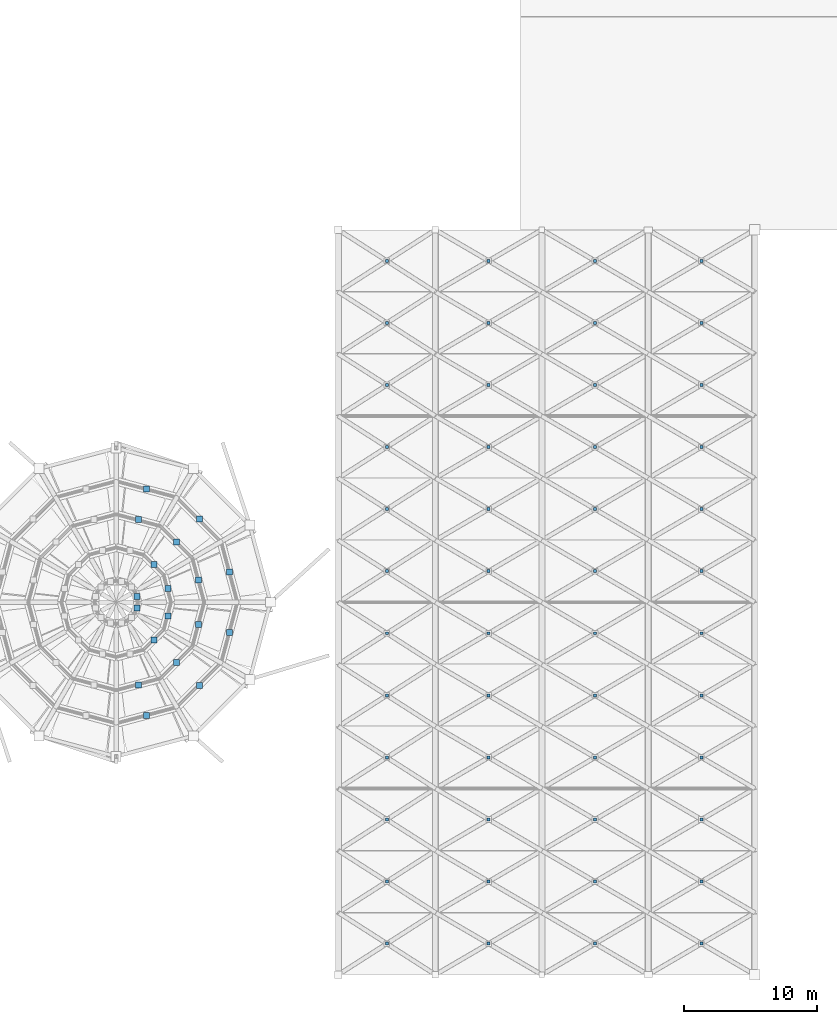
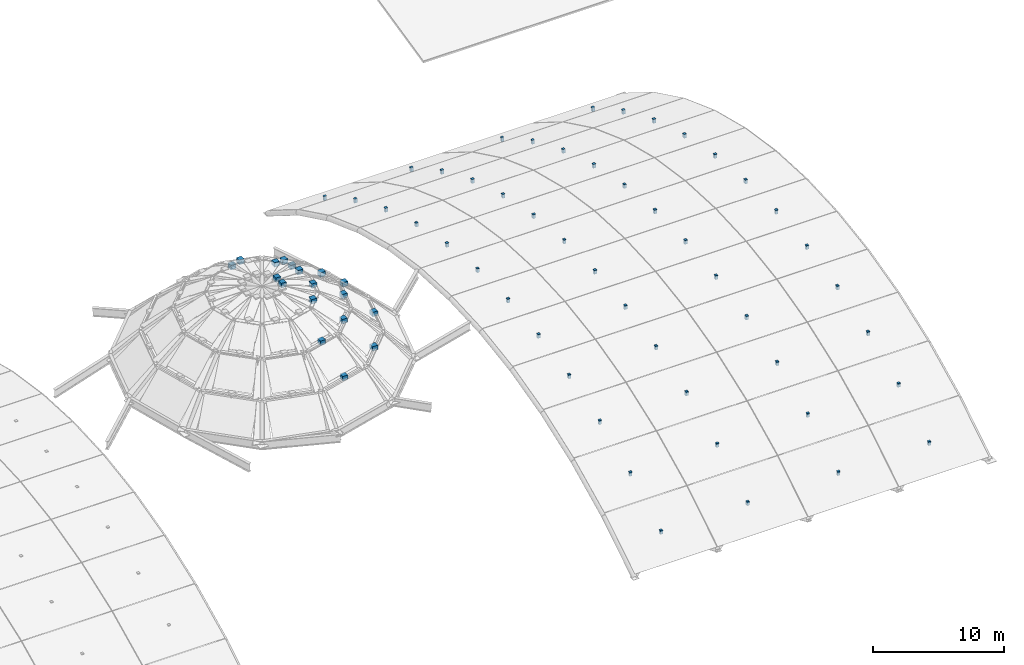
# One storey, part 19 of 21: 66 discrete accessories.
"""IFC4 building model written with IfcOpenShell, lengths in metres."""

from ifc_helpers import new_model, si_unit, direction, frame, origin, origin_2d, place, context, subcontext, project, spatial, rectangle, extrude, material, type_object, element, save


model = new_model("IFC4")

# Units and contexts
model_context = context("Model", 3, precision=1e-05, world=origin(), true_north=direction((0.0, 1.0)))
body_context = subcontext(model_context, "Body", "Model", "MODEL_VIEW")
ifc_project = project(units=[si_unit("LENGTHUNIT", "METRE"), si_unit("AREAUNIT", "SQUARE_METRE"), si_unit("VOLUMEUNIT", "CUBIC_METRE"), si_unit("PLANEANGLEUNIT", "RADIAN"), si_unit("MASSUNIT", "GRAM", prefix="KILO")], contexts=[model_context])

# Site, building, storey
site_placement = place(None, origin())
site = spatial("IfcSite", under=ifc_project, at=site_placement, CompositionType="ELEMENT")
building_placement = place(site_placement, origin())
building = spatial("IfcBuilding", under=site, at=building_placement, Name="Solmirada Galleria", CompositionType="ELEMENT")
storey_placement = place(building_placement, frame((0.0, 0.0, 37.5)))
storey = spatial("IfcBuildingStorey", under=building, at=storey_placement, Name="RF", CompositionType="ELEMENT", Elevation=37.5)

# Discrete accessories
ifc_material = material(Name="Steel S355 / ASTM A500 Grade C", Category="steel")
discrete_accessory_type = type_object("IfcDiscreteAccessoryType", Name="ACC-GLAZ-SHOE", PredefinedType="BRACKET", material=ifc_material)
for number, where, z_axis, x_axis, name in (
    (1, (116.35009765625, 34.333251953125, -7.94091796875), (0.0, 0.0, 1.0), (1.0, 0.0, 0.0), "Barrel gridshell glazing spider bracket E00-00"),
    (2, (116.35009765625, 39.0, -5.34716796875), (0.0, 0.0, 1.0), (1.0, 0.0, 0.0), "Barrel gridshell glazing spider bracket E00-01"),
    (3, (116.35009765625, 43.666748046875, -3.3623046875), (0.0, 0.0, 1.0), (1.0, 0.0, 0.0), "Barrel gridshell glazing spider bracket E00-02"),
    (4, (116.35009765625, 48.333251953125, -1.920654296875), (0.0, 0.0, 1.0), (1.0, 0.0, 0.0), "Barrel gridshell glazing spider bracket E00-03"),
    (5, (116.35009765625, 53.0, -0.97998046875), (0.0, 0.0, 1.0), (1.0, 0.0, 0.0), "Barrel gridshell glazing spider bracket E00-04"),
    (6, (116.35009765625, 57.666748046875, -0.515380859375), (0.0, 0.0, 1.0), (1.0, 0.0, 0.0), "Barrel gridshell glazing spider bracket E00-05"),
    (7, (116.35009765625, 62.33349609375, -0.515380859375), (0.0, 0.0, 1.0), (1.0, 0.0, 0.0), "Barrel gridshell glazing spider bracket E00-06"),
    (8, (116.35009765625, 67.0, -0.97998046875), (0.0, 0.0, 1.0), (1.0, 0.0, 0.0), "Barrel gridshell glazing spider bracket E00-07"),
    (9, (116.35009765625, 71.666748046875, -1.920654296875), (0.0, 0.0, 1.0), (1.0, 0.0, 0.0), "Barrel gridshell glazing spider bracket E00-08"),
    (10, (116.35009765625, 76.333251953125, -3.3623046875), (0.0, 0.0, 1.0), (1.0, 0.0, 0.0), "Barrel gridshell glazing spider bracket E00-09"),
    (11, (116.35009765625, 81.0, -5.34716796875), (0.0, 0.0, 1.0), (1.0, 0.0, 0.0), "Barrel gridshell glazing spider bracket E00-10"),
    (12, (116.35009765625, 85.666748046875, -7.94091796875), (0.0, 0.0, 1.0), (1.0, 0.0, 0.0), "Barrel gridshell glazing spider bracket E00-11"),
    (13, (124.0, 34.333251953125, -7.94091796875), (0.0, 0.0, 1.0), (1.0, 0.0, 0.0), "Barrel gridshell glazing spider bracket E01-00"),
    (14, (124.0, 39.0, -5.34716796875), (0.0, 0.0, 1.0), (1.0, 0.0, 0.0), "Barrel gridshell glazing spider bracket E01-01"),
    (15, (124.0, 43.666748046875, -3.3623046875), (0.0, 0.0, 1.0), (1.0, 0.0, 0.0), "Barrel gridshell glazing spider bracket E01-02"),
    (16, (124.0, 48.333251953125, -1.920654296875), (0.0, 0.0, 1.0), (1.0, 0.0, 0.0), "Barrel gridshell glazing spider bracket E01-03"),
    (17, (124.0, 53.0, -0.97998046875), (0.0, 0.0, 1.0), (1.0, 0.0, 0.0), "Barrel gridshell glazing spider bracket E01-04"),
    (18, (124.0, 57.666748046875, -0.515380859375), (0.0, 0.0, 1.0), (1.0, 0.0, 0.0), "Barrel gridshell glazing spider bracket E01-05"),
    (19, (124.0, 62.33349609375, -0.515380859375), (0.0, 0.0, 1.0), (1.0, 0.0, 0.0), "Barrel gridshell glazing spider bracket E01-06"),
    (20, (124.0, 67.0, -0.97998046875), (0.0, 0.0, 1.0), (1.0, 0.0, 0.0), "Barrel gridshell glazing spider bracket E01-07"),
    (21, (124.0, 71.666748046875, -1.920654296875), (0.0, 0.0, 1.0), (1.0, 0.0, 0.0), "Barrel gridshell glazing spider bracket E01-08"),
    (22, (124.0, 76.333251953125, -3.3623046875), (0.0, 0.0, 1.0), (1.0, 0.0, 0.0), "Barrel gridshell glazing spider bracket E01-09"),
    (23, (124.0, 81.0, -5.34716796875), (0.0, 0.0, 1.0), (1.0, 0.0, 0.0), "Barrel gridshell glazing spider bracket E01-10"),
    (24, (124.0, 85.666748046875, -7.94091796875), (0.0, 0.0, 1.0), (1.0, 0.0, 0.0), "Barrel gridshell glazing spider bracket E01-11"),
    (25, (132.0, 34.333251953125, -7.94091796875), (0.0, 0.0, 1.0), (1.0, 0.0, 0.0), "Barrel gridshell glazing spider bracket E02-00"),
    (26, (132.0, 39.0, -5.34716796875), (0.0, 0.0, 1.0), (1.0, 0.0, 0.0), "Barrel gridshell glazing spider bracket E02-01"),
    (27, (132.0, 43.666748046875, -3.3623046875), (0.0, 0.0, 1.0), (1.0, 0.0, 0.0), "Barrel gridshell glazing spider bracket E02-02"),
    (28, (132.0, 48.333251953125, -1.920654296875), (0.0, 0.0, 1.0), (1.0, 0.0, 0.0), "Barrel gridshell glazing spider bracket E02-03"),
    (29, (132.0, 53.0, -0.97998046875), (0.0, 0.0, 1.0), (1.0, 0.0, 0.0), "Barrel gridshell glazing spider bracket E02-04"),
    (30, (132.0, 57.666748046875, -0.515380859375), (0.0, 0.0, 1.0), (1.0, 0.0, 0.0), "Barrel gridshell glazing spider bracket E02-05"),
    (31, (132.0, 62.33349609375, -0.515380859375), (0.0, 0.0, 1.0), (1.0, 0.0, 0.0), "Barrel gridshell glazing spider bracket E02-06"),
    (32, (132.0, 67.0, -0.97998046875), (0.0, 0.0, 1.0), (1.0, 0.0, 0.0), "Barrel gridshell glazing spider bracket E02-07"),
    (33, (132.0, 71.666748046875, -1.920654296875), (0.0, 0.0, 1.0), (1.0, 0.0, 0.0), "Barrel gridshell glazing spider bracket E02-08"),
    (34, (132.0, 76.333251953125, -3.3623046875), (0.0, 0.0, 1.0), (1.0, 0.0, 0.0), "Barrel gridshell glazing spider bracket E02-09"),
    (35, (132.0, 81.0, -5.34716796875), (0.0, 0.0, 1.0), (1.0, 0.0, 0.0), "Barrel gridshell glazing spider bracket E02-10"),
    (36, (132.0, 85.666748046875, -7.94091796875), (0.0, 0.0, 1.0), (1.0, 0.0, 0.0), "Barrel gridshell glazing spider bracket E02-11"),
    (37, (140.0, 34.333251953125, -7.94091796875), (0.0, 0.0, 1.0), (1.0, 0.0, 0.0), "Barrel gridshell glazing spider bracket E03-00"),
    (38, (140.0, 39.0, -5.34716796875), (0.0, 0.0, 1.0), (1.0, 0.0, 0.0), "Barrel gridshell glazing spider bracket E03-01"),
    (39, (140.0, 43.666748046875, -3.3623046875), (0.0, 0.0, 1.0), (1.0, 0.0, 0.0), "Barrel gridshell glazing spider bracket E03-02"),
    (40, (140.0, 48.333251953125, -1.920654296875), (0.0, 0.0, 1.0), (1.0, 0.0, 0.0), "Barrel gridshell glazing spider bracket E03-03"),
    (41, (140.0, 53.0, -0.97998046875), (0.0, 0.0, 1.0), (1.0, 0.0, 0.0), "Barrel gridshell glazing spider bracket E03-04"),
    (42, (140.0, 57.666748046875, -0.515380859375), (0.0, 0.0, 1.0), (1.0, 0.0, 0.0), "Barrel gridshell glazing spider bracket E03-05"),
    (43, (140.0, 62.33349609375, -0.515380859375), (0.0, 0.0, 1.0), (1.0, 0.0, 0.0), "Barrel gridshell glazing spider bracket E03-06"),
    (44, (140.0, 67.0, -0.97998046875), (0.0, 0.0, 1.0), (1.0, 0.0, 0.0), "Barrel gridshell glazing spider bracket E03-07"),
    (45, (140.0, 71.666748046875, -1.920654296875), (0.0, 0.0, 1.0), (1.0, 0.0, 0.0), "Barrel gridshell glazing spider bracket E03-08"),
    (46, (140.0, 76.333251953125, -3.3623046875), (0.0, 0.0, 1.0), (1.0, 0.0, 0.0), "Barrel gridshell glazing spider bracket E03-09"),
    (47, (140.0, 81.0, -5.34716796875), (0.0, 0.0, 1.0), (1.0, 0.0, 0.0), "Barrel gridshell glazing spider bracket E03-10"),
    (48, (140.0, 85.666748046875, -7.94091796875), (0.0, 0.0, 1.0), (1.0, 0.0, 0.0), "Barrel gridshell glazing spider bracket E03-11"),
):
    element("IfcDiscreteAccessory", number, at=place(storey_placement, frame(where, z_axis=z_axis, x_axis=x_axis)), inside=storey, type_object=discrete_accessory_type, Name=name, PredefinedType="BRACKET", context=body_context, shape_type="SweptSolid", body=[
        extrude(rectangle(XDim=0.219970703125, YDim=0.219970703125, at=origin_2d()), origin(), (0.0, 0.0, 1.0), 0.3701171875),
    ])
for number, where, z_axis, x_axis, name in (
    (49, (104.531005859375, 62.285888671875, 2.41748046875), (0.0, 0.0, 1.0), (1.0, 0.0, 0.0), "Atrium dome glazing spider bracket 1.1"),
    (50, (102.2451171875, 66.2451171875, 2.41748046875), (0.0, 0.0, 1.0), (1.0, 0.0, 0.0), "Atrium dome glazing spider bracket 2.1"),
    (51, (98.285888671875, 68.531005859375, 2.41748046875), (0.0, 0.0, 1.0), (1.0, 0.0, 0.0), "Atrium dome glazing spider bracket 3.1"),
    (52, (98.285888671875, 51.468994140625, 2.41748046875), (0.0, 0.0, 1.0), (1.0, 0.0, 0.0), "Atrium dome glazing spider bracket 10.1"),
    (53, (102.2451171875, 53.7548828125, 2.41748046875), (0.0, 0.0, 1.0), (1.0, 0.0, 0.0), "Atrium dome glazing spider bracket 11.1"),
    (54, (104.531005859375, 57.714111328125, 2.41748046875), (0.0, 0.0, 1.0), (1.0, 0.0, 0.0), "Atrium dome glazing spider bracket 12.1"),
    (55, (102.2041015625, 61.662353515625, 4.526123046875), (0.0, 0.0, 1.0), (1.0, 0.0, 0.0), "Atrium dome glazing spider bracket 1.2"),
    (56, (100.541748046875, 64.541748046875, 4.526123046875), (0.0, 0.0, 1.0), (1.0, 0.0, 0.0), "Atrium dome glazing spider bracket 2.2"),
    (57, (97.662353515625, 66.2041015625, 4.526123046875), (0.0, 0.0, 1.0), (1.0, 0.0, 0.0), "Atrium dome glazing spider bracket 3.2"),
    (58, (97.662353515625, 53.7958984375, 4.526123046875), (0.0, 0.0, 1.0), (1.0, 0.0, 0.0), "Atrium dome glazing spider bracket 10.2"),
    (59, (100.541748046875, 55.458251953125, 4.526123046875), (0.0, 0.0, 1.0), (1.0, 0.0, 0.0), "Atrium dome glazing spider bracket 11.2"),
    (60, (102.2041015625, 58.337646484375, 4.526123046875), (0.0, 0.0, 1.0), (1.0, 0.0, 0.0), "Atrium dome glazing spider bracket 12.2"),
    (61, (99.877197265625, 61.038818359375, 5.935302734375), (0.0, 0.0, 1.0), (1.0, 0.0, 0.0), "Atrium dome glazing spider bracket 1.3"),
    (62, (98.838134765625, 62.838134765625, 5.935302734375), (0.0, 0.0, 1.0), (1.0, 0.0, 0.0), "Atrium dome glazing spider bracket 2.3"),
    (63, (98.838134765625, 57.161865234375, 5.935302734375), (0.0, 0.0, 1.0), (1.0, 0.0, 0.0), "Atrium dome glazing spider bracket 11.3"),
    (64, (99.877197265625, 58.961181640625, 5.935302734375), (0.0, 0.0, 1.0), (1.0, 0.0, 0.0), "Atrium dome glazing spider bracket 12.3"),
    (65, (97.550048828125, 60.415283203125, 6.429931640625), (0.0, 0.0, 1.0), (1.0, 0.0, 0.0), "Atrium dome glazing spider bracket 1.4"),
    (66, (97.550048828125, 59.584716796875, 6.429931640625), (0.0, 0.0, 1.0), (1.0, 0.0, 0.0), "Atrium dome glazing spider bracket 12.4"),
):
    element("IfcDiscreteAccessory", number, at=place(storey_placement, frame(where, z_axis=z_axis, x_axis=x_axis)), inside=storey, type_object=discrete_accessory_type, Name=name, PredefinedType="BRACKET", context=body_context, shape_type="SweptSolid", body=[
        extrude(rectangle(XDim=0.449951171875, YDim=0.449951171875, at=origin_2d()), origin(), (0.0, 0.0, 1.0), 0.419921875),
    ])

save(model, "model.ifc")
